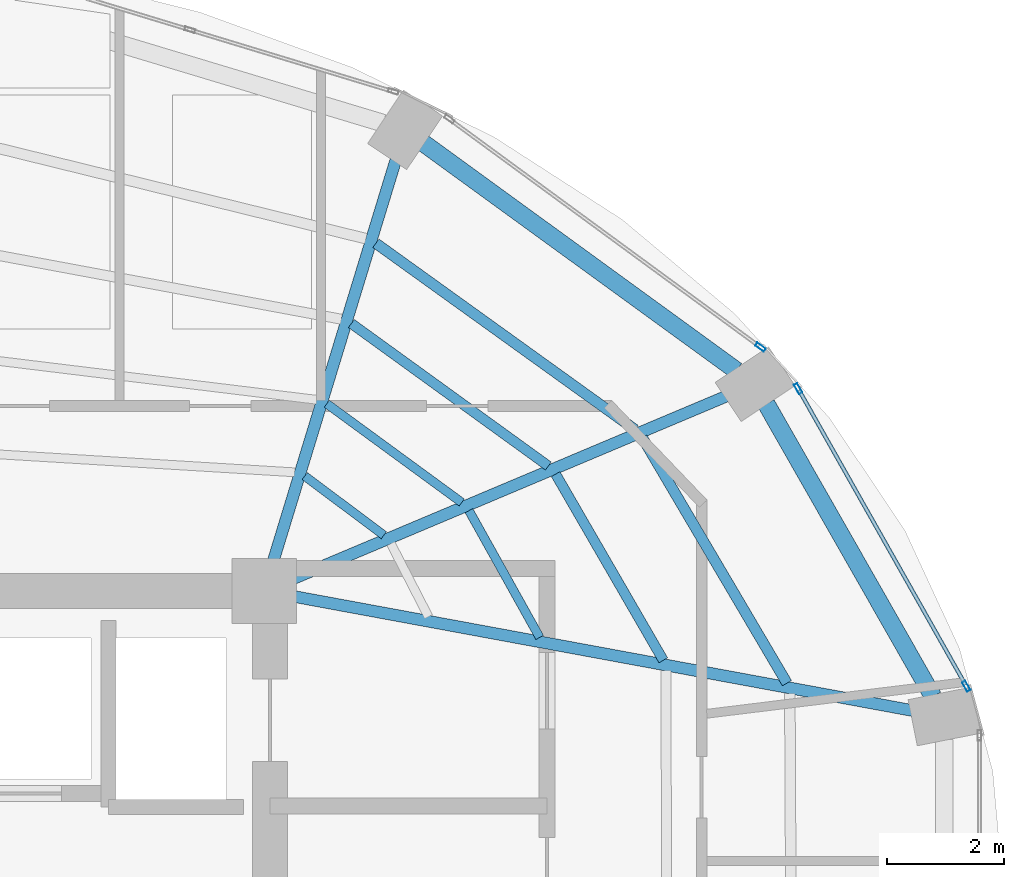
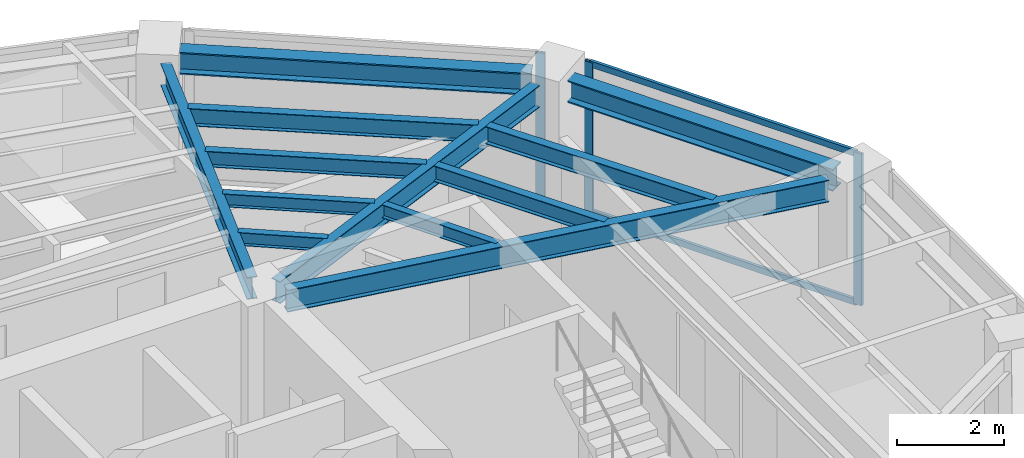
# One storey, part 13 of 21: 12 beams, 5 members, 2 elements without a shape of their own.
"""IFC4 building model written with IfcOpenShell, lengths in metres."""

import ifcopenshell
import ifcopenshell.guid

model = None  # the IFC model being written
_history = None  # IfcOwnerHistory: only IFC2X3 demands one
_inside = {}  # id of a spatial element -> (the spatial element, [elements in it])
_under = {}  # id of a project, library or spatial element -> (it, [spatial elements below it])
_declared = {}  # id of a project -> (the project, [libraries it declares])
_typed = {}  # id of a type object -> (the type object, [elements of that type])
_made_of = {}  # id of a material, layer set ... -> (it, [elements and type objects made of it])


def new_model(schema):
    """Start an empty IFC model of exactly this schema.

    Asked for "IFC4X3", IfcOpenShell would pick the latest addendum, in which some entities
    have other attributes; the version numbers below select the first issue.
    IFC2X3 requires an IfcOwnerHistory on every rooted entity: one is made here for all.
    """
    global model, _history
    if schema == "IFC4X3":
        model = ifcopenshell.file(schema_version=(4, 3, 0, 0))
    else:
        model = ifcopenshell.file(schema=schema)
    _inside.clear()
    _under.clear()
    _declared.clear()
    _typed.clear()
    _made_of.clear()
    _history = None
    if model.schema == "IFC2X3":
        org = make("IfcOrganization", Name="unknown")
        user = make(
            "IfcPersonAndOrganization",
            ThePerson=make("IfcPerson", FamilyName="unknown"),
            TheOrganization=org,
        )
        app = make(
            "IfcApplication",
            ApplicationDeveloper=org,
            Version="unknown",
            ApplicationFullName="unknown",
            ApplicationIdentifier="unknown",
        )
        _history = make(
            "IfcOwnerHistory",
            OwningUser=user,
            OwningApplication=app,
            ChangeAction="ADDED",
            CreationDate=0,
        )
    return model


def make(cls, **values):
    """One entity of the class cls with the attributes given. An attribute that is None is left unset."""
    return model.create_entity(
        cls, **{name: value for name, value in values.items() if value is not None}
    )


def rooted(cls, **values):
    """An entity with a GlobalId (a new one), such as an element, a storey or a relation."""
    return make(cls, GlobalId=ifcopenshell.guid.new(), OwnerHistory=_history, **values)


def si_unit(unit_type, name, prefix=None):
    """IfcSIUnit, for example si_unit("LENGTHUNIT", "METRE", prefix="MILLI")."""
    return make("IfcSIUnit", UnitType=unit_type, Prefix=prefix, Name=name)


def assignment(units):
    """IfcUnitAssignment: the units of a project."""
    return None if units is None else make("IfcUnitAssignment", Units=units)


def point(xyz):
    """IfcCartesianPoint."""
    return None if xyz is None else make("IfcCartesianPoint", Coordinates=xyz)


def direction(xyz):
    """IfcDirection."""
    return None if xyz is None else make("IfcDirection", DirectionRatios=xyz)


def frame(location, z_axis=None, x_axis=None):
    """IfcAxis2Placement3D, a coordinate frame: its origin and axes. An axis left out is left unset."""
    return make(
        "IfcAxis2Placement3D",
        Location=point(location),
        Axis=direction(z_axis),
        RefDirection=direction(x_axis),
    )


def frame_2d(location, x_axis=None):
    """IfcAxis2Placement2D, a coordinate frame in the plane: its origin and x axis."""
    return make(
        "IfcAxis2Placement2D", Location=point(location), RefDirection=direction(x_axis)
    )


def origin():
    """The frame at (0, 0, 0) with its axes left unset."""
    return frame((0.0, 0.0, 0.0))


def origin_2d():
    """The frame at (0, 0) in the plane with its x axis left unset."""
    return frame_2d((0.0, 0.0))


def place(relative_to, where):
    """IfcLocalPlacement: puts the frame where relative to a parent placement (None: the world)."""
    return make(
        "IfcLocalPlacement", PlacementRelTo=relative_to, RelativePlacement=where
    )


def context(
    kind, dimensions, precision=None, world=None, true_north=None, identifier=None
):
    """IfcGeometricRepresentationContext, for example the 3D "Model" context."""
    return make(
        "IfcGeometricRepresentationContext",
        ContextIdentifier=identifier,
        ContextType=kind,
        CoordinateSpaceDimension=dimensions,
        Precision=precision,
        WorldCoordinateSystem=world,
        TrueNorth=true_north,
    )


def subcontext(parent, identifier, kind, view, scale=None):
    """IfcGeometricRepresentationSubContext, for example "Body" below "Model"."""
    return make(
        "IfcGeometricRepresentationSubContext",
        ContextIdentifier=identifier,
        ContextType=kind,
        ParentContext=parent,
        TargetScale=scale,
        TargetView=view,
    )


def project(units=None, contexts=None):
    """IfcProject with its units and contexts."""
    return rooted(
        "IfcProject",
        Name="project",
        RepresentationContexts=contexts,
        UnitsInContext=assignment(units),
    )


def spatial(cls, under=None, at=None, **own):
    """A site, building, storey or space (cls), placed at a placement, below another one or the project."""
    s = rooted(cls, ObjectPlacement=at, **own)
    if under is not None:
        _under.setdefault(under.id(), (under, []))[1].append(s)
    return s


def profile(cls, at=None, kind="AREA", **sizes):
    """A parametric profile (cls). Its sizes go by their IFC names, for example OverallWidth=200.0."""
    return make(cls, ProfileType=kind, Position=at, **sizes)


def hollow_rectangle(**sizes):
    """IfcRectangleHollowProfileDef."""
    return profile("IfcRectangleHollowProfileDef", **sizes)


def i_section(**sizes):
    """IfcIShapeProfileDef."""
    return profile("IfcIShapeProfileDef", **sizes)


def extrude(swept, where, along, depth):
    """IfcExtrudedAreaSolid: the profile swept, set in the frame where, extruded along a direction by depth."""
    return make(
        "IfcExtrudedAreaSolid",
        SweptArea=swept,
        Position=where,
        ExtrudedDirection=direction(along),
        Depth=depth,
    )


def shape(context_of_items, identifier, shape_type, items):
    """IfcShapeRepresentation: the items that make up one representation, for example the "Body"."""
    return make(
        "IfcShapeRepresentation",
        ContextOfItems=context_of_items,
        RepresentationIdentifier=identifier,
        RepresentationType=shape_type,
        Items=items,
    )


def material(Name=None, Category=None):
    """IfcMaterial."""
    return make("IfcMaterial", Name=Name, Category=Category)


def layer(
    of_material, thickness, ventilated=None, Name=None, Category=None, Priority=None
):
    """IfcMaterialLayer: one layer of a wall or slab, of a material (None: an air gap)."""
    return make(
        "IfcMaterialLayer",
        Material=of_material,
        LayerThickness=thickness,
        IsVentilated=ventilated,
        Name=Name,
        Category=Category,
        Priority=Priority,
    )


def layer_set(layers, Name=None):
    """IfcMaterialLayerSet."""
    return make("IfcMaterialLayerSet", MaterialLayers=layers, LayerSetName=Name)


def material_profile(
    of_material, cross_section, Name=None, Category=None, Priority=None
):
    """IfcMaterialProfile: a cross section and its material."""
    return make(
        "IfcMaterialProfile",
        Name=Name,
        Material=of_material,
        Profile=cross_section,
        Priority=Priority,
        Category=Category,
    )


def profile_set(profiles, Name=None, composite=None):
    """IfcMaterialProfileSet."""
    return make(
        "IfcMaterialProfileSet",
        Name=Name,
        MaterialProfiles=profiles,
        CompositeProfile=composite,
    )


def made_of(thing, what):
    """Note that an element or type object is made of a material, layer set ...; save() writes the relation."""
    if what is not None:
        _made_of.setdefault(what.id(), (what, []))[1].append(thing)
    return thing


def type_object(cls, material=None, **own):
    """A type object (cls), such as IfcWallType, which elements share."""
    return made_of(rooted(cls, **own), material)


def element(
    cls,
    number,
    at=None,
    inside=None,
    cuts=None,
    type_object=None,
    material=None,
    context=None,
    identifier="Body",
    shape_type=None,
    held_by="IfcProductDefinitionShape",
    body=None,
    shapes=None,
    **own,
):
    """One element of the class cls, such as IfcWall. Its Tag is "e" and its number.

    at: its placement. inside: the storey or other place that contains it. cuts: it is an
    opening in that element (IfcRelVoidsElement). A single representation is given by context,
    identifier, shape_type and body (its items); several are given by shapes. held_by: the class
    of the entity that holds the representations. save() writes the other relations.
    """
    e = rooted(cls, Tag="e%d" % number, ObjectPlacement=at, **own)
    if body is not None:
        shapes = [shape(context, identifier, shape_type, body)]
    if shapes is not None:
        e.Representation = make(held_by, Representations=shapes)
    if inside is not None:
        _inside.setdefault(inside.id(), (inside, []))[1].append(e)
    if cuts is not None:
        rooted(
            "IfcRelVoidsElement", RelatingBuildingElement=cuts, RelatedOpeningElement=e
        )
    if type_object is not None:
        _typed.setdefault(type_object.id(), (type_object, []))[1].append(e)
    return made_of(e, material)


def aggregate(whole, parts):
    """IfcRelAggregates: a whole, such as a stair, and the parts it consists of."""
    return rooted("IfcRelAggregates", RelatingObject=whole, RelatedObjects=parts)


def save(model, path):
    """Write the relations noted so far, then the file.

    IfcRelAggregates (storeys below a building ...), IfcRelContainedInSpatialStructure (elements
    in a storey), IfcRelDefinesByType, IfcRelAssociatesMaterial and IfcRelDeclares: one each for
    every whole, place, type object, material and project.
    """
    for whole, parts in _under.values():
        aggregate(whole, parts)
    for where, things in _inside.values():
        rooted(
            "IfcRelContainedInSpatialStructure",
            RelatedElements=things,
            RelatingStructure=where,
        )
    for kind, things in _typed.values():
        rooted("IfcRelDefinesByType", RelatedObjects=things, RelatingType=kind)
    for what, things in _made_of.values():
        rooted("IfcRelAssociatesMaterial", RelatedObjects=things, RelatingMaterial=what)
    for by, libraries in _declared.values():
        rooted("IfcRelDeclares", RelatingContext=by, RelatedDefinitions=libraries)
    model.write(path)


model = new_model("IFC4")

# Units and contexts
model_context = context("Model", 3, precision=1e-05, world=origin(), true_north=direction((0.0, 1.0)))
body_context = subcontext(model_context, "Body", "Model", "MODEL_VIEW")
ifc_project = project(units=[si_unit("LENGTHUNIT", "METRE"), si_unit("AREAUNIT", "SQUARE_METRE"), si_unit("VOLUMEUNIT", "CUBIC_METRE"), si_unit("PLANEANGLEUNIT", "RADIAN"), si_unit("MASSUNIT", "GRAM", prefix="KILO")], contexts=[model_context])

# Site, building, storey
site_placement = place(None, origin())
site = spatial("IfcSite", under=ifc_project, at=site_placement, CompositionType="ELEMENT")
building_placement = place(site_placement, origin())
building = spatial("IfcBuilding", under=site, at=building_placement, Name="Lazwardi Medical Tower", CompositionType="ELEMENT")
storey_placement = place(building_placement, frame((0.0, 0.0, 216.719970703125)))
storey = spatial("IfcBuildingStorey", under=building, at=storey_placement, Name="L56", CompositionType="ELEMENT", Elevation=216.719970703125)

# Beams
ifc_material_1 = material(Name="Steel S355", Category="steel")
ifc_material_profile_1 = material_profile(ifc_material_1, i_section(OverallWidth=0.300048828125, OverallDepth=0.5, WebThickness=0.014404296875, FlangeThickness=0.028076171875, at=origin_2d()), Name="HEB 500")
ifc_profile_set_1 = profile_set([ifc_material_profile_1], Name="Steel S355")
beam_type_1 = type_object("IfcBeamType", Name="BM-RB-Z4", PredefinedType="BEAM", material=ifc_profile_set_1)
beam_1_placement = place(storey_placement, frame((56.991943359375, 33.8017578125, 3.197998046875), z_axis=(-0.495125273299, 0.868821594886, 0.0), x_axis=(-0.868821594886, -0.495125273299, 0.0)))
element("IfcBeam", 1, at=beam_1_placement, inside=storey, type_object=beam_type_1, Name="Ring beam RB-05 B05 L56", PredefinedType="BEAM", context=body_context, shape_type="SweptSolid", body=[
    extrude(i_section(OverallWidth=0.300048828125, OverallDepth=0.5, WebThickness=0.014404296875, FlangeThickness=0.028076171875, at=origin_2d()), origin(), (0.0, 0.0, 1.0), 5.734130859375),
])
beam_2_placement = place(storey_placement, frame((53.644287109375, 39.351806640625, 3.197998046875), z_axis=(-0.808889916254, 0.587960120571, 0.0), x_axis=(-0.587960120571, -0.808889916254, 0.0)))
element("IfcBeam", 2, at=beam_2_placement, inside=storey, type_object=beam_type_1, Name="Ring beam RB-05 B06 L56", PredefinedType="BEAM", context=body_context, shape_type="SweptSolid", body=[
    extrude(i_section(OverallWidth=0.300048828125, OverallDepth=0.5, WebThickness=0.014404296875, FlangeThickness=0.028076171875, at=origin_2d()), origin(), (0.0, 0.0, 1.0), 6.587158203125),
])
ifc_material_profile_2 = material_profile(ifc_material_1, i_section(OverallWidth=0.199951171875, OverallDepth=0.5, WebThickness=0.01025390625, FlangeThickness=0.01611328125, at=origin_2d()), Name="IPE 500")
ifc_profile_set_2 = profile_set([ifc_material_profile_2], Name="Steel S355")
beam_type_2 = type_object("IfcBeamType", Name="BM-RG-W3", PredefinedType="BEAM", material=ifc_profile_set_2)
beam_3_placement = place(storey_placement, frame((56.658935546875, 33.56005859375, 3.197998046875), z_axis=(-0.983409341459, 0.181400295288, 0.0), x_axis=(-0.181400295288, -0.983409341459, 0.0)))
element("IfcBeam", 3, at=beam_3_placement, inside=storey, type_object=beam_type_2, Name="Radial girder RG-04 R05 L56", PredefinedType="BEAM", context=body_context, shape_type="SweptSolid", body=[
    extrude(i_section(OverallWidth=0.199951171875, OverallDepth=0.5, WebThickness=0.01025390625, FlangeThickness=0.01611328125, at=origin_2d()), origin(), (0.0, 0.0, 1.0), 10.71044921875),
])
beam_4_placement = place(storey_placement, frame((53.466796875, 38.914794921875, 3.197998046875), z_axis=(-0.921526791352, -0.388314785735, 0.0), x_axis=(0.388314785735, -0.921526791352, 0.0)))
element("IfcBeam", 4, at=beam_4_placement, inside=storey, type_object=beam_type_2, Name="Radial girder RG-04 R06 L56", PredefinedType="BEAM", context=body_context, shape_type="SweptSolid", body=[
    extrude(i_section(OverallWidth=0.199951171875, OverallDepth=0.5, WebThickness=0.01025390625, FlangeThickness=0.01611328125, at=origin_2d()), origin(), (0.0, 0.0, 1.0), 8.001708984375),
])
beam_5_placement = place(storey_placement, frame((47.843994140625, 42.9423828125, 3.197998046875), z_axis=(-0.292276716539, -0.956333791607, 0.0), x_axis=(0.956333791607, -0.292276716539, 0.0)))
element("IfcBeam", 5, at=beam_5_placement, inside=storey, type_object=beam_type_2, Name="Radial girder RG-04 R07 L56", PredefinedType="BEAM", context=body_context, shape_type="SweptSolid", body=[
    extrude(i_section(OverallWidth=0.199951171875, OverallDepth=0.5, WebThickness=0.01025390625, FlangeThickness=0.01611328125, at=origin_2d()), origin(), (0.0, 0.0, 1.0), 7.142822265625),
])
ifc_material_profile_3 = material_profile(ifc_material_1, i_section(OverallWidth=0.179931640625, OverallDepth=0.39990234375, WebThickness=0.008544921875, FlangeThickness=0.013427734375, at=origin_2d()), Name="IPE 400")
ifc_profile_set_3 = profile_set([ifc_material_profile_3], Name="Steel S355")
beam_type_3 = type_object("IfcBeamType", Name="BM-SJ-01", PredefinedType="JOIST", material=ifc_profile_set_3)
beam_6_placement = place(storey_placement, frame((54.504150390625, 34.030517578125, 3.248046875), z_axis=(-0.507710311367, 0.861527851977, 0.0), x_axis=(-0.861527851977, -0.507710311367, 0.0)))
element("IfcBeam", 6, at=beam_6_placement, inside=storey, type_object=beam_type_3, Name="Secondary joist SJ-01 R1 B05 L56", PredefinedType="JOIST", context=body_context, shape_type="SweptSolid", body=[
    extrude(i_section(OverallWidth=0.179931640625, OverallDepth=0.39990234375, WebThickness=0.008544921875, FlangeThickness=0.013427734375, at=origin_2d()), origin(), (0.0, 0.0, 1.0), 4.852783203125),
])
beam_7_placement = place(storey_placement, frame((51.914794921875, 38.348876953125, 3.248046875), z_axis=(-0.811889581337, 0.58381102055, 0.0), x_axis=(-0.58381102055, -0.811889581337, 0.0)))
element("IfcBeam", 7, at=beam_7_placement, inside=storey, type_object=beam_type_3, Name="Secondary joist SJ-01 R1 B06 L56", PredefinedType="JOIST", context=body_context, shape_type="SweptSolid", body=[
    extrude(i_section(OverallWidth=0.179931640625, OverallDepth=0.39990234375, WebThickness=0.008544921875, FlangeThickness=0.013427734375, at=origin_2d()), origin(), (0.0, 0.0, 1.0), 5.433349609375),
])
ifc_material_profile_4 = material_profile(ifc_material_1, i_section(OverallWidth=0.169921875, OverallDepth=0.360107421875, WebThickness=0.008056640625, FlangeThickness=0.0126953125, at=origin_2d()), Name="IPE 360")
ifc_profile_set_4 = profile_set([ifc_material_profile_4], Name="Steel S355")
beam_type_4 = type_object("IfcBeamType", Name="BM-SJ-02", PredefinedType="JOIST", material=ifc_profile_set_4)
beam_8_placement = place(storey_placement, frame((52.398193359375, 34.41943359375, 3.26806640625), z_axis=(-0.500655179543, 0.865646805109, 0.0), x_axis=(-0.865646805109, -0.500655179543, 0.0)))
element("IfcBeam", 8, at=beam_8_placement, inside=storey, type_object=beam_type_4, Name="Secondary joist SJ-02 R2 B05 L56", PredefinedType="JOIST", context=body_context, shape_type="SweptSolid", body=[
    extrude(i_section(OverallWidth=0.169921875, OverallDepth=0.360107421875, WebThickness=0.008056640625, FlangeThickness=0.0126953125, at=origin_2d()), origin(), (0.0, 0.0, 1.0), 3.662109375),
])
beam_9_placement = place(storey_placement, frame((50.440185546875, 37.7275390625, 3.26806640625), z_axis=(-0.810164229155, 0.586202969796, 0.0), x_axis=(-0.586202969796, -0.810164229155, 0.0)))
element("IfcBeam", 9, at=beam_9_placement, inside=storey, type_object=beam_type_4, Name="Secondary joist SJ-02 R2 B06 L56", PredefinedType="JOIST", context=body_context, shape_type="SweptSolid", body=[
    extrude(i_section(OverallWidth=0.169921875, OverallDepth=0.360107421875, WebThickness=0.008056640625, FlangeThickness=0.0126953125, at=origin_2d()), origin(), (0.0, 0.0, 1.0), 4.14013671875),
])
ifc_material_profile_5 = material_profile(ifc_material_1, i_section(OverallWidth=0.14990234375, OverallDepth=0.300048828125, WebThickness=0.007080078125, FlangeThickness=0.0107421875, at=origin_2d()), Name="IPE 300")
ifc_profile_set_5 = profile_set([ifc_material_profile_5], Name="Steel S355")
beam_type_5 = type_object("IfcBeamType", Name="BM-SJ-03", PredefinedType="JOIST", material=ifc_profile_set_5)
beam_10_placement = place(storey_placement, frame((50.29296875, 34.80859375, 3.298095703125), z_axis=(-0.487092942089, 0.873350139272, 0.0), x_axis=(-0.873350139272, -0.487092942089, 0.0)))
element("IfcBeam", 10, at=beam_10_placement, inside=storey, type_object=beam_type_5, Name="Secondary joist SJ-03 R3 B05 L56", PredefinedType="JOIST", context=body_context, shape_type="SweptSolid", body=[
    extrude(i_section(OverallWidth=0.14990234375, OverallDepth=0.300048828125, WebThickness=0.007080078125, FlangeThickness=0.0107421875, at=origin_2d()), origin(), (0.0, 0.0, 1.0), 2.471923828125),
])
beam_11_placement = place(storey_placement, frame((48.9658203125, 37.106689453125, 3.298095703125), z_axis=(-0.80703431267, 0.59050454543, 0.0), x_axis=(-0.59050454543, -0.80703431267, 0.0)))
element("IfcBeam", 11, at=beam_11_placement, inside=storey, type_object=beam_type_5, Name="Secondary joist SJ-03 R3 B06 L56", PredefinedType="JOIST", context=body_context, shape_type="SweptSolid", body=[
    extrude(i_section(OverallWidth=0.14990234375, OverallDepth=0.300048828125, WebThickness=0.007080078125, FlangeThickness=0.0107421875, at=origin_2d()), origin(), (0.0, 0.0, 1.0), 2.846923828125),
])
beam_12_placement = place(storey_placement, frame((47.63916015625, 36.548095703125, 3.298095703125), z_axis=(-0.800365301971, 0.599512621553, 0.0), x_axis=(-0.599512621553, -0.800365301971, 0.0)))
element("IfcBeam", 12, at=beam_12_placement, inside=storey, type_object=beam_type_5, Name="Secondary joist SJ-03 R4 B06 L56", PredefinedType="JOIST", context=body_context, shape_type="SweptSolid", body=[
    extrude(i_section(OverallWidth=0.14990234375, OverallDepth=0.300048828125, WebThickness=0.007080078125, FlangeThickness=0.0107421875, at=origin_2d()), origin(), (0.0, 0.0, 1.0), 1.68359375),
])

# Curtain wall, members
ifc_material_2 = material(Name="Anodised bronze aluminium and solar control glazing", Category="aluminium")
ifc_layer = layer(ifc_material_2, 0.18994140625)
ifc_layer_set = layer_set([ifc_layer], Name="Anodised bronze aluminium and solar control glazing")
curtain_wall_type = type_object("IfcCurtainWallType", Name="CW-SYS-04", PredefinedType="NOTDEFINED", material=ifc_layer_set)
curtain_wall_1_placement = place(storey_placement, origin())
curtain_wall_1 = element("IfcCurtainWall", 13, at=curtain_wall_1_placement, inside=storey, type_object=curtain_wall_type, Name="L56 Unitised bronze curtain wall CW-04", PredefinedType="NOTDEFINED")
ifc_material_3 = material(Name="Anodised bronze aluminium", Category="aluminium")
ifc_material_profile_6 = material_profile(ifc_material_3, hollow_rectangle(XDim=0.06494140625, YDim=0.179931640625, WallThickness=0.00390625, at=origin_2d()), Name="ALU-MULLION 180x65x4")
ifc_profile_set_6 = profile_set([ifc_material_profile_6], Name="Anodised bronze aluminium")
member_type_1 = type_object("IfcMemberType", Name="CW-MUL-03", PredefinedType="MULLION", material=ifc_profile_set_6)
member_1_placement = place(storey_placement, frame((57.557373046875, 33.978271484375, 0.0), z_axis=(0.0, 0.0, 1.0), x_axis=(-0.870651436011, -0.491900474661, 0.0)))
member_1 = element("IfcMember", 14, at=member_1_placement, type_object=member_type_1, Name="CW-04 mullion 1", PredefinedType="MULLION", context=body_context, shape_type="SweptSolid", body=[
    extrude(hollow_rectangle(XDim=0.06494140625, YDim=0.179931640625, WallThickness=0.00390625, at=origin_2d()), origin(), (0.0, 0.0, 1.0), 3.447998046875),
])
member_2_placement = place(storey_placement, frame((54.6943359375, 39.04541015625, 0.0), z_axis=(0.0, 0.0, 1.0), x_axis=(-0.870651436011, -0.491900474661, 0.0)))
member_2 = element("IfcMember", 15, at=member_2_placement, type_object=member_type_1, Name="CW-04 mullion 2", PredefinedType="MULLION", context=body_context, shape_type="SweptSolid", body=[
    extrude(hollow_rectangle(XDim=0.06494140625, YDim=0.179931640625, WallThickness=0.00390625, at=origin_2d()), origin(), (0.0, 0.0, 1.0), 3.447998046875),
])

# Curtain wall, member
curtain_wall_2_placement = place(storey_placement, origin())
curtain_wall_2 = element("IfcCurtainWall", 16, at=curtain_wall_2_placement, inside=storey, type_object=curtain_wall_type, Name="L56 Unitised bronze curtain wall CW-04", PredefinedType="NOTDEFINED")
member_3_placement = place(storey_placement, frame((54.052001953125, 39.751708984375, 0.0), z_axis=(0.0, 0.0, 1.0), x_axis=(-0.591268230971, -0.806474971121, 0.0)))
member_3 = element("IfcMember", 17, at=member_3_placement, type_object=member_type_1, Name="CW-04 mullion 1", PredefinedType="MULLION", context=body_context, shape_type="SweptSolid", body=[
    extrude(hollow_rectangle(XDim=0.06494140625, YDim=0.179931640625, WallThickness=0.00390625, at=origin_2d()), origin(), (0.0, 0.0, 1.0), 3.447998046875),
])
aggregate(curtain_wall_2, [member_3])

# Member
ifc_material_profile_7 = material_profile(ifc_material_3, hollow_rectangle(XDim=0.06494140625, YDim=0.139892578125, WallThickness=0.00341796875, at=origin_2d()), Name="ALU-TRANSOM 140x65x3.5")
ifc_profile_set_7 = profile_set([ifc_material_profile_7], Name="Anodised bronze aluminium")
member_type_2 = type_object("IfcMemberType", Name="CW-TRN-03", PredefinedType="USERDEFINED", material=ifc_profile_set_7)
member_4_placement = place(storey_placement, frame((57.541259765625, 34.006591796875, 0.032470703125), z_axis=(-0.491897887635, 0.870652897623, 0.0), x_axis=(-0.870652897623, -0.491897887635, 0.0)))
member_4 = element("IfcMember", 18, at=member_4_placement, type_object=member_type_2, Name="CW-04 transom 1.1", ObjectType="TRANSOM", PredefinedType="USERDEFINED", context=body_context, shape_type="SweptSolid", body=[
    extrude(hollow_rectangle(XDim=0.06494140625, YDim=0.139892578125, WallThickness=0.00341796875, at=origin_2d()), origin(), (0.0, 0.0, 1.0), 5.7548828125),
])

member_5_placement = place(storey_placement, frame((57.541259765625, 34.006591796875, 3.41552734375), z_axis=(-0.491897887635, 0.870652897623, 0.0), x_axis=(-0.870652897623, -0.491897887635, 0.0)))
member_5 = element("IfcMember", 19, at=member_5_placement, type_object=member_type_2, Name="CW-04 transom 1.2", ObjectType="TRANSOM", PredefinedType="USERDEFINED", context=body_context, shape_type="SweptSolid", body=[
    extrude(hollow_rectangle(XDim=0.06494140625, YDim=0.139892578125, WallThickness=0.00341796875, at=origin_2d()), origin(), (0.0, 0.0, 1.0), 5.7548828125),
])

aggregate(curtain_wall_1, [member_1, member_2, member_4, member_5])

save(model, "model.ifc")
